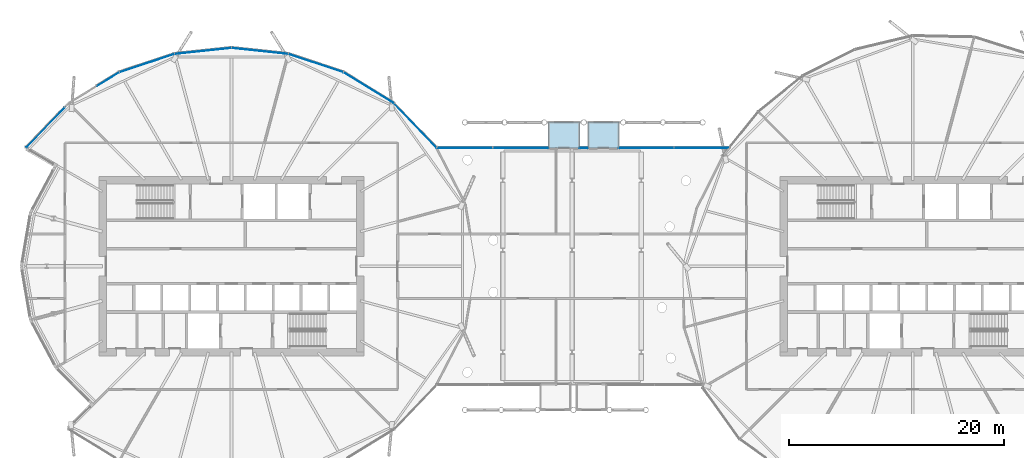
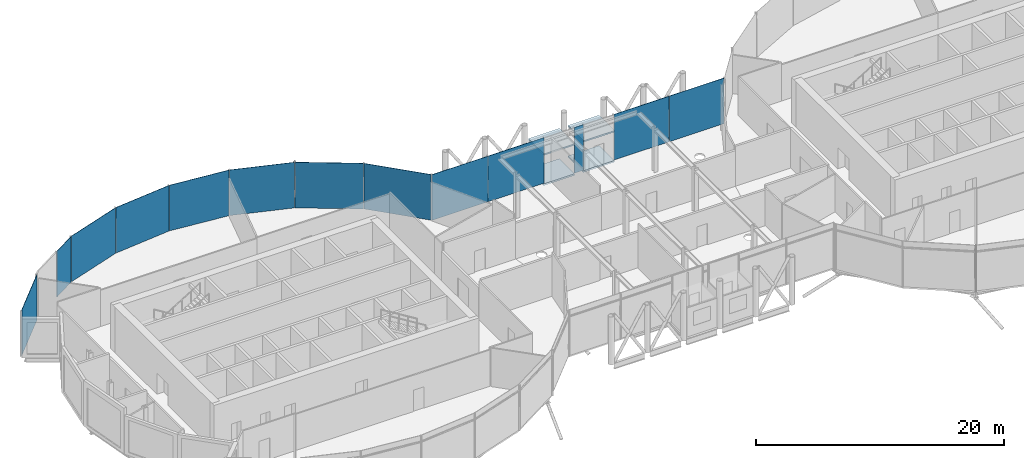
# One storey, part 20 of 36: 13 plates, 4 slabs, 2 elements without a shape of their own.
"""IFC4 building model written with IfcOpenShell, lengths in metres."""

from ifc_helpers import new_model, si_unit, direction, frame, origin, origin_2d, place, context, subcontext, project, spatial, polyline, rectangle, outline, extrude, material, layer, layer_set, type_object, element, aggregate, save


model = new_model("IFC4")

# Units and contexts
model_context = context("Model", 3, precision=1e-05, world=origin(), true_north=direction((0.0, 1.0)))
body_context = subcontext(model_context, "Body", "Model", "MODEL_VIEW")
ifc_project = project(units=[si_unit("LENGTHUNIT", "METRE"), si_unit("AREAUNIT", "SQUARE_METRE"), si_unit("VOLUMEUNIT", "CUBIC_METRE"), si_unit("PLANEANGLEUNIT", "RADIAN"), si_unit("MASSUNIT", "GRAM", prefix="KILO")], contexts=[model_context])

# Site, building, storey
site_placement = place(None, origin())
site = spatial("IfcSite", under=ifc_project, at=site_placement, CompositionType="ELEMENT")
building_placement = place(site_placement, origin())
building = spatial("IfcBuilding", under=site, at=building_placement, Name="Rimbun Link Towers", CompositionType="ELEMENT")
storey_placement = place(building_placement, frame((0.0, 0.0, 154.39990234375)))
storey = spatial("IfcBuildingStorey", under=building, at=storey_placement, Name="L37", CompositionType="ELEMENT", Elevation=154.39990234375)

# Slabs
ifc_material_1 = material(Name="Insulated metal floor panel on steel frame", Category="steel")
ifc_layer_1 = layer(ifc_material_1, 0.159912109375)
ifc_layer_set_1 = layer_set([ifc_layer_1], Name="CAPSULE floor panel 160")
slab_type_1 = type_object("IfcSlabType", Name="CAPSULE floor panel 160", PredefinedType="FLOOR", material=ifc_layer_set_1)
slab_1_placement = place(storey_placement, frame((0.0, 0.0, -0.219970703125)))
element("IfcSlab", 1, at=slab_1_placement, inside=storey, type_object=slab_type_1, Name="CAPSULE F37.01 floor panel", PredefinedType="FLOOR", context=body_context, shape_type="SweptSolid", body=[
    extrude(outline(polyline([(-2.203125, 11.0), (0.69677734375, 11.0), (0.69677734375, 13.449951171875), (-2.203125, 13.449951171875), (-2.203125, 11.0)])), origin(), (0.0, 0.0, 1.0), 0.16015625),
])
slab_2_placement = place(storey_placement, frame((0.0, 0.0, -0.219970703125)))
element("IfcSlab", 2, at=slab_2_placement, inside=storey, type_object=slab_type_1, Name="CAPSULE F37.02 floor panel", PredefinedType="FLOOR", context=body_context, shape_type="SweptSolid", body=[
    extrude(outline(polyline([(1.48681640625, 11.0), (4.38671875, 11.0), (4.38671875, 13.449951171875), (1.48681640625, 13.449951171875), (1.48681640625, 11.0)])), origin(), (0.0, 0.0, 1.0), 0.16015625),
])
ifc_material_2 = material(Name="Insulated metal roof panel with terracotta fascia", Category="masonry")
ifc_layer_2 = layer(ifc_material_2, 0.14990234375)
ifc_layer_set_2 = layer_set([ifc_layer_2], Name="CAPSULE roof panel 150")
slab_type_2 = type_object("IfcSlabType", Name="CAPSULE roof panel 150", PredefinedType="ROOF", material=ifc_layer_set_2)
slab_3_placement = place(storey_placement, frame((0.0, 0.0, 2.7900390625)))
element("IfcSlab", 3, at=slab_3_placement, inside=storey, type_object=slab_type_2, Name="CAPSULE F37.01 roof panel", PredefinedType="ROOF", context=body_context, shape_type="SweptSolid", body=[
    extrude(outline(polyline([(0.69677734375, 13.449951171875), (-2.203125, 13.449951171875), (-2.203125, 10.949951171875), (0.69677734375, 10.949951171875), (0.69677734375, 13.449951171875)])), origin(), (0.0, 0.0, 1.0), 0.150146484375),
])
slab_4_placement = place(storey_placement, frame((0.0, 0.0, 2.7900390625)))
element("IfcSlab", 4, at=slab_4_placement, inside=storey, type_object=slab_type_2, Name="CAPSULE F37.02 roof panel", PredefinedType="ROOF", context=body_context, shape_type="SweptSolid", body=[
    extrude(outline(polyline([(4.38671875, 13.449951171875), (1.48681640625, 13.449951171875), (1.48681640625, 10.949951171875), (4.38671875, 10.949951171875), (4.38671875, 13.449951171875)])), origin(), (0.0, 0.0, 1.0), 0.150146484375),
])

# Curtain wall, plate
ifc_material_3 = material(Name="Aluminium 6063-T6 and low-iron glass", Category="aluminium")
curtain_wall_type = type_object("IfcCurtainWallType", Name="CW5 full height lobby wall", PredefinedType="NOTDEFINED", material=ifc_material_3)
curtain_wall_1_placement = place(storey_placement, origin())
curtain_wall_1 = element("IfcCurtainWall", 5, at=curtain_wall_1_placement, inside=storey, type_object=curtain_wall_type, Name="CW5 L37 LB", PredefinedType="NOTDEFINED")
ifc_material_4 = material(Name="Aluminium cladding, insulated panel", Category="aluminium")
ifc_layer_3 = layer(ifc_material_4, 0.031982421875)
ifc_layer_set_3 = layer_set([ifc_layer_3], Name="CW5 insulated panel Aluminium cladding 32")
plate_type_1 = type_object("IfcPlateType", Name="CW5 insulated panel Aluminium cladding 32", PredefinedType="CURTAIN_PANEL", material=ifc_layer_set_3)
plate_1_placement = place(storey_placement, frame((-10.008544921875, 11.01611328125, 0.0), z_axis=(0.0, 0.0, 1.0), x_axis=(1.0, 0.0, 0.0)))
plate_1 = element("IfcPlate", 6, at=plate_1_placement, type_object=plate_type_1, Name="CW5 insulated panel", PredefinedType="CURTAIN_PANEL", context=body_context, shape_type="SweptSolid", body=[
    extrude(rectangle(XDim=5.197021484375, YDim=0.031982421875, at=origin_2d()), origin(), (0.0, 0.0, 1.0), 4.5),
])

# Curtain wall, plates
curtain_wall_2_placement = place(storey_placement, origin())
curtain_wall_2 = element("IfcCurtainWall", 7, at=curtain_wall_2_placement, inside=storey, type_object=curtain_wall_type, Name="CW5 L37 T1", PredefinedType="NOTDEFINED")
ifc_material_5 = material(Name="Low-iron glass, laminated low-e unit", Category="glass")
ifc_layer_4 = layer(ifc_material_5, 0.031982421875)
ifc_layer_set_4 = layer_set([ifc_layer_4], Name="CW5 panel Low-iron glass 32")
plate_type_2 = type_object("IfcPlateType", Name="CW5 panel Low-iron glass 32", PredefinedType="CURTAIN_PANEL", material=ifc_layer_set_4)
plate_2_placement = place(storey_placement, frame((-14.60791015625, 13.103759765625, 0.0), z_axis=(0.0, 0.0, 1.0), x_axis=(0.692041109252, -0.721858090698, 0.0)))
plate_2 = element("IfcPlate", 8, at=plate_2_placement, type_object=plate_type_2, Name="CW5 panel", PredefinedType="CURTAIN_PANEL", context=body_context, shape_type="SweptSolid", body=[
    extrude(rectangle(XDim=5.671630859375, YDim=0.031982421875, at=origin_2d()), origin(), (0.0, 0.0, 1.0), 4.5),
])
plate_3_placement = place(storey_placement, frame((-18.95166015625, 16.619384765625, 0.0), z_axis=(0.0, 0.0, 1.0), x_axis=(0.852194346217, -0.523225378089, 0.0)))
plate_3 = element("IfcPlate", 9, at=plate_3_placement, type_object=plate_type_2, Name="CW5 panel", PredefinedType="CURTAIN_PANEL", context=body_context, shape_type="SweptSolid", body=[
    extrude(rectangle(XDim=5.5087890625, YDim=0.031982421875, at=origin_2d()), origin(), (0.0, 0.0, 1.0), 4.5),
])
plate_4_placement = place(storey_placement, frame((-23.88525390625, 18.9228515625, 0.0), z_axis=(0.0, 0.0, 1.0), x_axis=(0.949234953763, -0.314567961741, 0.0)))
plate_4 = element("IfcPlate", 10, at=plate_4_placement, type_object=plate_type_2, Name="CW5 panel", PredefinedType="CURTAIN_PANEL", context=body_context, shape_type="SweptSolid", body=[
    extrude(rectangle(XDim=5.36572265625, YDim=0.031982421875, at=origin_2d()), origin(), (0.0, 0.0, 1.0), 4.5),
])
plate_5_placement = place(storey_placement, frame((-29.101318359375, 20.052734375, 0.0), z_axis=(0.0, 0.0, 1.0), x_axis=(0.994499069305, -0.104745411125, 0.0)))
plate_5 = element("IfcPlate", 11, at=plate_5_placement, type_object=plate_type_2, Name="CW5 panel", PredefinedType="CURTAIN_PANEL", context=body_context, shape_type="SweptSolid", body=[
    extrude(rectangle(XDim=5.283447265625, YDim=0.031982421875, at=origin_2d()), origin(), (0.0, 0.0, 1.0), 4.5),
])
plate_6_placement = place(storey_placement, frame((-34.398681640625, 20.052734375, 0.0), z_axis=(0.0, 0.0, 1.0), x_axis=(0.994499069305, 0.104745411125, 0.0)))
plate_6 = element("IfcPlate", 12, at=plate_6_placement, type_object=plate_type_2, Name="CW5 panel", PredefinedType="CURTAIN_PANEL", context=body_context, shape_type="SweptSolid", body=[
    extrude(rectangle(XDim=5.283447265625, YDim=0.031982421875, at=origin_2d()), origin(), (0.0, 0.0, 1.0), 4.5),
])
plate_7_placement = place(storey_placement, frame((-39.61474609375, 18.9228515625, 0.0), z_axis=(0.0, 0.0, 1.0), x_axis=(0.949234953763, 0.314567961741, 0.0)))
plate_7 = element("IfcPlate", 13, at=plate_7_placement, type_object=plate_type_2, Name="CW5 panel", PredefinedType="CURTAIN_PANEL", context=body_context, shape_type="SweptSolid", body=[
    extrude(rectangle(XDim=5.36572265625, YDim=0.031982421875, at=origin_2d()), origin(), (0.0, 0.0, 1.0), 4.5),
])
plate_8_placement = place(storey_placement, frame((-43.227294921875, 17.430419921875, 0.0), z_axis=(0.0, 0.0, 1.0), x_axis=(0.852194346217, 0.523225378089, 0.0)))
plate_8 = element("IfcPlate", 14, at=plate_8_placement, type_object=plate_type_2, Name="CW5 panel", PredefinedType="CURTAIN_PANEL", context=body_context, shape_type="SweptSolid", body=[
    extrude(rectangle(XDim=2.408935546875, YDim=0.031982421875, at=origin_2d()), origin(), (0.0, 0.0, 1.0), 4.5),
])
plate_9_placement = place(storey_placement, frame((-49.06494140625, 12.92333984375, 0.0), z_axis=(0.0, 0.0, 1.0), x_axis=(0.692041109252, 0.721858090698, 0.0)))
plate_9 = element("IfcPlate", 15, at=plate_9_placement, type_object=plate_type_2, Name="CW5 panel", PredefinedType="CURTAIN_PANEL", context=body_context, shape_type="SweptSolid", body=[
    extrude(rectangle(XDim=5.171630859375, YDim=0.031982421875, at=origin_2d()), origin(), (0.0, 0.0, 1.0), 4.5),
])
aggregate(curtain_wall_2, [plate_2, plate_3, plate_4, plate_5, plate_6, plate_7, plate_8, plate_9])

# Plate
plate_10_placement = place(storey_placement, frame((-4.771728515625, 11.01611328125, 0.0), z_axis=(0.0, 0.0, 1.0), x_axis=(1.0, 0.0, 0.0)))
plate_10 = element("IfcPlate", 16, at=plate_10_placement, type_object=plate_type_2, Name="CW5 panel", PredefinedType="CURTAIN_PANEL", context=body_context, shape_type="SweptSolid", body=[
    extrude(rectangle(XDim=5.197021484375, YDim=0.031982421875, at=origin_2d()), origin(), (0.0, 0.0, 1.0), 4.5),
])

plate_11_placement = place(storey_placement, frame((1.091796875, 11.01611328125, 0.0), z_axis=(0.0, 0.0, 1.0), x_axis=(1.0, 0.0, 0.0)))
plate_11 = element("IfcPlate", 17, at=plate_11_placement, type_object=plate_type_2, Name="CW5 panel", PredefinedType="CURTAIN_PANEL", context=body_context, shape_type="SweptSolid", body=[
    extrude(rectangle(XDim=0.849853515625, YDim=0.031982421875, at=origin_2d()), origin(), (0.0, 0.0, 1.0), 4.5),
])

plate_12_placement = place(storey_placement, frame((6.917724609375, 11.01611328125, 0.0), z_axis=(0.0, 0.0, 1.0), x_axis=(1.0, 0.0, 0.0)))
plate_12 = element("IfcPlate", 18, at=plate_12_placement, type_object=plate_type_2, Name="CW5 panel", PredefinedType="CURTAIN_PANEL", context=body_context, shape_type="SweptSolid", body=[
    extrude(rectangle(XDim=5.1220703125, YDim=0.031982421875, at=origin_2d()), origin(), (0.0, 0.0, 1.0), 4.5),
])

plate_13_placement = place(storey_placement, frame((12.07958984375, 11.01611328125, 0.0), z_axis=(0.0, 0.0, 1.0), x_axis=(1.0, 0.0, 0.0)))
plate_13 = element("IfcPlate", 19, at=plate_13_placement, type_object=plate_type_2, Name="CW5 panel", PredefinedType="CURTAIN_PANEL", context=body_context, shape_type="SweptSolid", body=[
    extrude(rectangle(XDim=5.1220703125, YDim=0.031982421875, at=origin_2d()), origin(), (0.0, 0.0, 1.0), 4.5),
])

aggregate(curtain_wall_1, [plate_1, plate_10, plate_11, plate_12, plate_13])

save(model, "model.ifc")
